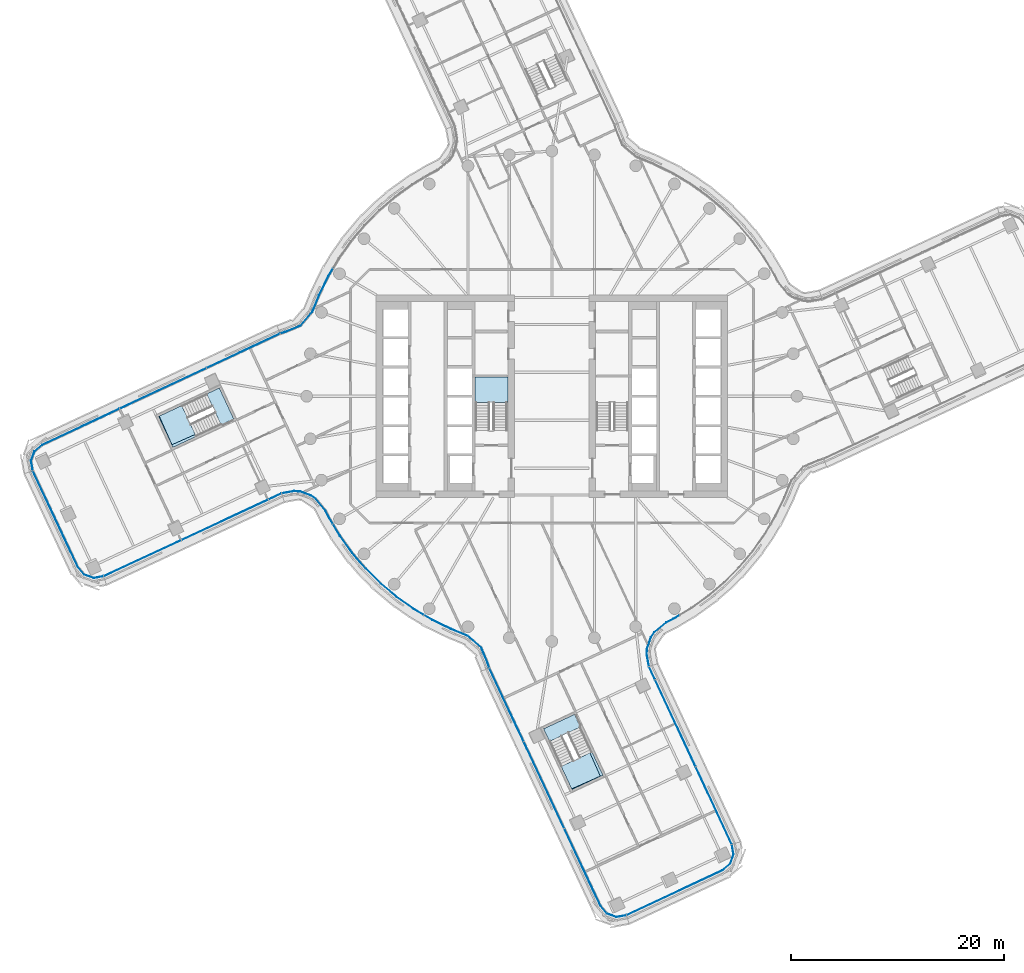
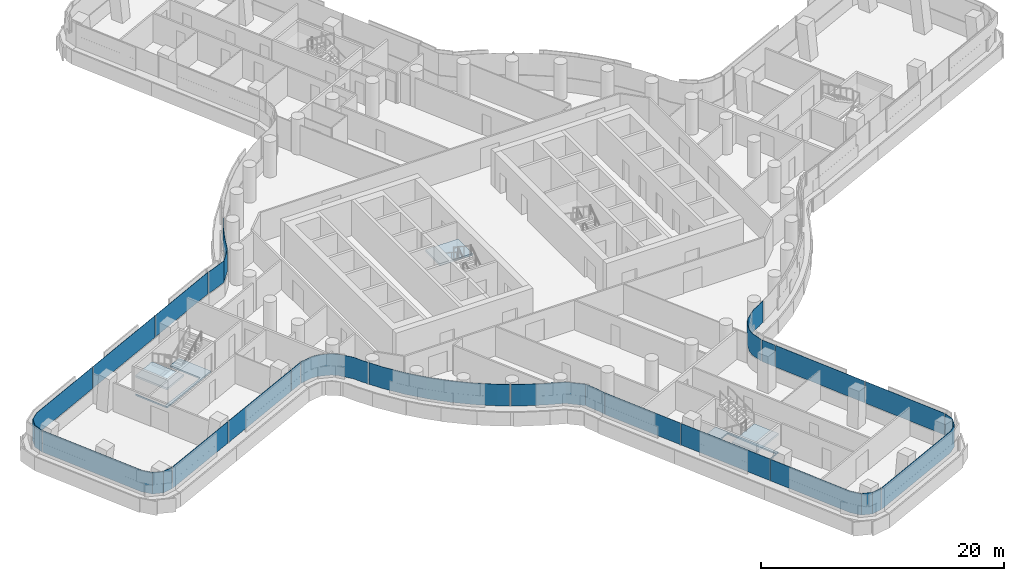
# One storey, part 20 of 36: 19 plates, 5 slabs, 12 elements without a shape of their own.
"""IFC4 building model written with IfcOpenShell, lengths in metres."""

from ifc_helpers import new_model, si_unit, direction, frame, origin, place, context, subcontext, project, spatial, polyline, outline, extrude, material, layer, layer_set, type_object, element, aggregate, save


model = new_model("IFC4")

# Units and contexts
model_context = context("Model", 3, precision=1e-05, world=origin(), true_north=direction((0.0, 1.0)))
body_context = subcontext(model_context, "Body", "Model", "MODEL_VIEW")
ifc_project = project(units=[si_unit("LENGTHUNIT", "METRE"), si_unit("AREAUNIT", "SQUARE_METRE"), si_unit("VOLUMEUNIT", "CUBIC_METRE"), si_unit("PLANEANGLEUNIT", "RADIAN"), si_unit("MASSUNIT", "GRAM", prefix="KILO")], contexts=[model_context])

# Site, building, storey
site_placement = place(None, origin())
site = spatial("IfcSite", under=ifc_project, at=site_placement, CompositionType="ELEMENT")
building_placement = place(site_placement, origin())
building = spatial("IfcBuilding", under=site, at=building_placement, Name="Tamarind Cross Interchange Tower", CompositionType="ELEMENT")
storey_placement = place(building_placement, frame((0.0, 0.0, 124.75)))
storey = spatial("IfcBuildingStorey", under=building, at=storey_placement, Name="L30", CompositionType="ELEMENT", Elevation=124.75)

# Slabs
ifc_material_1 = material(Name="Concrete C35", Category="concrete")
ifc_layer_1 = layer(ifc_material_1, 0.139892578125)
ifc_layer_set_1 = layer_set([ifc_layer_1], Name="Concrete C35")
slab_type_1 = type_object("IfcSlabType", Name="Composite slab 140 Concrete C35", PredefinedType="FLOOR", material=ifc_layer_set_1)
slab_1_placement = place(storey_placement, frame((0.0, 0.0, -0.139892578125)))
element("IfcSlab", 1, at=slab_1_placement, inside=storey, type_object=slab_type_1, Name="Floor slab L30", PredefinedType="FLOOR", context=body_context, shape_type="SweptSolid", body=[
    extrude(outline(polyline([(-35.630615234375, -4.544677734375), (-36.827880859375, -1.859375), (-36.90185546875, -1.89404296875), (-35.545654296875, -4.79248046875), (-29.83935546875, -2.122314453125), (-31.195556640625, 0.77587890625), (-32.3837890625, 0.219970703125), (-31.099853515625, -2.5244140625), (-35.630615234375, -4.544677734375)])), origin(), (0.0, 0.0, 1.0), 0.139892578125),
])
slab_2_placement = place(storey_placement, frame((0.0, 0.0, -0.139892578125)))
element("IfcSlab", 2, at=slab_2_placement, inside=storey, type_object=slab_type_1, Name="Floor slab L30", PredefinedType="FLOOR", context=body_context, shape_type="SweptSolid", body=[
    extrude(outline(polyline([(1.89404296875, -36.90185546875), (4.79248046875, -35.545654296875), (2.122314453125, -29.83935546875), (-0.77587890625, -31.195556640625), (-0.219970703125, -32.3837890625), (2.5244140625, -31.099853515625), (4.544677734375, -35.630615234375), (1.859375, -36.827880859375), (1.89404296875, -36.90185546875)])), origin(), (0.0, 0.0, 1.0), 0.139892578125),
])

# Stair, slab
ifc_material_2 = material(Name="Exit stair")
stair_type = type_object("IfcStairType", Name="Exit stair", PredefinedType="HALF_TURN_STAIR", material=ifc_material_2)
stair_1_placement = place(storey_placement, origin())
stair_1 = element("IfcStair", 3, at=stair_1_placement, inside=storey, type_object=stair_type, Name="L30 exit stair ST1", PredefinedType="HALF_TURN_STAIR")
ifc_material_3 = material(Name="Concrete C40", Category="concrete")
ifc_layer_2 = layer(ifc_material_3, 0.199951171875)
ifc_layer_set_2 = layer_set([ifc_layer_2], Name="Concrete C40")
slab_type_2 = type_object("IfcSlabType", Name="Stair landing", PredefinedType="LANDING", material=ifc_layer_set_2)
slab_3_placement = place(storey_placement, frame((0.0, 0.0, 1.675048828125)))
slab_3 = element("IfcSlab", 4, at=slab_3_placement, type_object=slab_type_2, Name="ST1 landing 1", PredefinedType="LANDING", context=body_context, shape_type="SweptSolid", body=[
    extrude(outline(polyline([(-4.10009765625, -0.60009765625), (-4.10009765625, 1.800048828125), (-7.199951171875, 1.800048828125), (-7.199951171875, -0.60009765625), (-4.10009765625, -0.60009765625)])), origin(), (0.0, 0.0, 1.0), 0.199951171875),
])
aggregate(stair_1, [slab_3])

stair_2_placement = place(storey_placement, origin())
stair_2 = element("IfcStair", 5, at=stair_2_placement, inside=storey, type_object=stair_type, Name="L30 exit stair ST5", PredefinedType="HALF_TURN_STAIR")
slab_4_placement = place(storey_placement, frame((0.0, 0.0, 1.675048828125)))
slab_4 = element("IfcSlab", 6, at=slab_4_placement, type_object=slab_type_2, Name="ST5 landing 1", PredefinedType="LANDING", context=body_context, shape_type="SweptSolid", body=[
    extrude(outline(polyline([(-34.717041015625, -0.871826171875), (-36.90185546875, -1.89404296875), (-35.545654296875, -4.79248046875), (-33.36083984375, -3.770263671875), (-34.717041015625, -0.871826171875)])), origin(), (0.0, 0.0, 1.0), 0.199951171875),
])
aggregate(stair_2, [slab_4])

stair_3_placement = place(storey_placement, origin())
stair_3 = element("IfcStair", 7, at=stair_3_placement, inside=storey, type_object=stair_type, Name="L30 exit stair ST6", PredefinedType="HALF_TURN_STAIR")
slab_5_placement = place(storey_placement, frame((0.0, 0.0, 1.675048828125)))
slab_5 = element("IfcSlab", 8, at=slab_5_placement, type_object=slab_type_2, Name="ST6 landing 1", PredefinedType="LANDING", context=body_context, shape_type="SweptSolid", body=[
    extrude(outline(polyline([(0.871826171875, -34.717041015625), (1.89404296875, -36.90185546875), (4.79248046875, -35.545654296875), (3.770263671875, -33.36083984375), (0.871826171875, -34.717041015625)])), origin(), (0.0, 0.0, 1.0), 0.199951171875),
])
aggregate(stair_3, [slab_5])

# Curtain wall, plate
ifc_material_4 = material(Name="Aluminium 6063-T6", Category="aluminium")
ifc_layer_3 = layer(ifc_material_4, 0.159912109375)
ifc_layer_set_3 = layer_set([ifc_layer_3], Name="Aluminium 6063-T6")
curtain_wall_type = type_object("IfcCurtainWallType", Name="Office curtain wall, 9.0 m bays", PredefinedType="NOTDEFINED", material=ifc_layer_set_3)
curtain_wall_1_placement = place(storey_placement, origin())
curtain_wall_1 = element("IfcCurtainWall", 9, at=curtain_wall_1_placement, inside=storey, type_object=curtain_wall_type, Name="CWS-L30-00", PredefinedType="NOTDEFINED")
ifc_material_5 = material(Name="Laminated low-e glass 8+1.52+8", Category="glass")
ifc_layer_4 = layer(ifc_material_5, 0.028076171875)
ifc_layer_set_4 = layer_set([ifc_layer_4], Name="Laminated low-e glass 8+1.52+8")
plate_type = type_object("IfcPlateType", Name="Vision panel CW1", PredefinedType="CURTAIN_PANEL", material=ifc_layer_set_4)
plate_1_placement = place(storey_placement, frame((0.0, 0.0, 1.39990234375)))
plate_1 = element("IfcPlate", 10, at=plate_1_placement, type_object=plate_type, Name="CWP-L30-00-00", PredefinedType="CURTAIN_PANEL", context=body_context, shape_type="SweptSolid", body=[
    extrude(outline(polyline([(-48.658935546875, -7.015869140625), (-44.456787109375, -15.996826171875), (-43.84521484375, -16.7236328125), (-42.979736328125, -17.037353515625), (-42.072265625, -16.8759765625), (-42.067138671875, -16.903564453125), (-42.982177734375, -17.066162109375), (-43.86181640625, -16.747314453125), (-44.48046875, -16.011962890625), (-48.684326171875, -7.027587890625), (-48.658935546875, -7.015869140625)])), origin(), (0.0, 0.0, 1.0), 2.170166015625),
])
aggregate(curtain_wall_1, [plate_1])

# Curtain wall, plates
curtain_wall_2_placement = place(storey_placement, origin())
curtain_wall_2 = element("IfcCurtainWall", 11, at=curtain_wall_2_placement, inside=storey, type_object=curtain_wall_type, Name="CWS-L30-01", PredefinedType="NOTDEFINED")
plate_2_placement = place(storey_placement, frame((0.0, 0.0, 1.39990234375)))
plate_2 = element("IfcPlate", 12, at=plate_2_placement, type_object=plate_type, Name="CWP-L30-01-00", PredefinedType="CURTAIN_PANEL", context=body_context, shape_type="SweptSolid", body=[
    extrude(outline(polyline([(-42.018798828125, -16.859130859375), (-34.790771484375, -13.492919921875), (-34.77880859375, -13.518310546875), (-42.007080078125, -16.884521484375), (-42.018798828125, -16.859130859375)])), origin(), (0.0, 0.0, 1.0), 2.170166015625),
])
plate_3_placement = place(storey_placement, frame((0.0, 0.0, 1.39990234375)))
plate_3 = element("IfcPlate", 13, at=plate_3_placement, type_object=plate_type, Name="CWP-L30-01-01", PredefinedType="CURTAIN_PANEL", context=body_context, shape_type="SweptSolid", body=[
    extrude(outline(polyline([(-34.736328125, -13.467529296875), (-26.63232421875, -9.693359375), (-26.620361328125, -9.71875), (-34.724609375, -13.492919921875), (-34.736328125, -13.467529296875)])), origin(), (0.0, 0.0, 1.0), 2.170166015625),
])
plate_4_placement = place(storey_placement, frame((0.0, 0.0, 1.39990234375)))
plate_4 = element("IfcPlate", 14, at=plate_4_placement, type_object=plate_type, Name="CWP-L30-01-02", PredefinedType="CURTAIN_PANEL", context=body_context, shape_type="SweptSolid", body=[
    extrude(outline(polyline([(-26.577880859375, -9.668212890625), (-25.381103515625, -9.11083984375), (-25.369384765625, -9.13623046875), (-26.56591796875, -9.693603515625), (-26.577880859375, -9.668212890625)])), origin(), (0.0, 0.0, 1.0), 2.170166015625),
])
aggregate(curtain_wall_2, [plate_2, plate_3, plate_4])

curtain_wall_3_placement = place(storey_placement, origin())
curtain_wall_3 = element("IfcCurtainWall", 15, at=curtain_wall_3_placement, inside=storey, type_object=curtain_wall_type, Name="CWS-L30-02", PredefinedType="NOTDEFINED")
plate_5_placement = place(storey_placement, frame((0.0, 0.0, 1.39990234375)))
plate_5 = element("IfcPlate", 16, at=plate_5_placement, type_object=plate_type, Name="CWP-L30-02-00", PredefinedType="CURTAIN_PANEL", context=body_context, shape_type="SweptSolid", body=[
    extrude(outline(polyline([(-25.321044921875, -9.091796875), (-24.169677734375, -8.8837890625), (-23.6123046875, -8.9287109375), (-22.601806640625, -9.28515625), (-22.1376953125, -9.6015625), (-21.210693359375, -10.724609375), (-20.866943359375, -11.408203125), (-20.537841796875, -11.954833984375), (-20.56201171875, -11.96923828125), (-20.891357421875, -11.421630859375), (-21.234375, -10.739990234375), (-22.15673828125, -9.622314453125), (-22.61474609375, -9.310302734375), (-23.6181640625, -8.956298828125), (-24.168212890625, -8.912109375), (-25.316162109375, -9.119384765625), (-25.321044921875, -9.091796875)])), origin(), (0.0, 0.0, 1.0), 2.170166015625),
])
plate_6_placement = place(storey_placement, frame((0.0, 0.0, 1.39990234375)))
plate_6 = element("IfcPlate", 17, at=plate_6_placement, type_object=plate_type, Name="CWP-L30-02-01", PredefinedType="CURTAIN_PANEL", context=body_context, shape_type="SweptSolid", body=[
    extrude(outline(polyline([(-20.507080078125, -12.00634765625), (-19.85302734375, -13.093017578125), (-18.7041015625, -14.687744140625), (-17.42724609375, -16.18212890625), (-16.031494140625, -17.56591796875), (-14.526123046875, -18.829833984375), (-12.921630859375, -19.965087890625), (-12.019775390625, -20.497314453125), (-12.033935546875, -20.521484375), (-12.936767578125, -19.988525390625), (-14.543212890625, -18.85205078125), (-16.05029296875, -17.586669921875), (-17.44775390625, -16.201171875), (-18.72607421875, -14.705078125), (-19.87646484375, -13.1083984375), (-20.531005859375, -12.020751953125), (-20.507080078125, -12.00634765625)])), origin(), (0.0, 0.0, 1.0), 2.170166015625),
])
plate_7_placement = place(storey_placement, frame((0.0, 0.0, 1.39990234375)))
plate_7 = element("IfcPlate", 18, at=plate_7_placement, type_object=plate_type, Name="CWP-L30-02-02", PredefinedType="CURTAIN_PANEL", context=body_context, shape_type="SweptSolid", body=[
    extrude(outline(polyline([(-11.968017578125, -20.52783203125), (-11.228759765625, -20.9638671875), (-9.456787109375, -21.82080078125), (-7.9052734375, -22.46142578125), (-6.608154296875, -23.566650390625), (-6.017822265625, -24.99169921875), (-5.870361328125, -25.457275390625), (-5.89697265625, -25.465576171875), (-6.0439453125, -25.00146484375), (-6.63134765625, -23.58349609375), (-7.920166015625, -22.485595703125), (-9.46826171875, -21.84619140625), (-11.241943359375, -20.98876953125), (-11.982177734375, -20.5517578125), (-11.968017578125, -20.52783203125)])), origin(), (0.0, 0.0, 1.0), 2.170166015625),
])
aggregate(curtain_wall_3, [plate_5, plate_6, plate_7])

curtain_wall_4_placement = place(storey_placement, origin())
curtain_wall_4 = element("IfcCurtainWall", 19, at=curtain_wall_4_placement, inside=storey, type_object=curtain_wall_type, Name="CWS-L30-03", PredefinedType="NOTDEFINED")
plate_8_placement = place(storey_placement, frame((0.0, 0.0, 1.39990234375)))
plate_8 = element("IfcPlate", 20, at=plate_8_placement, type_object=plate_type, Name="CWP-L30-03-00", PredefinedType="CURTAIN_PANEL", context=body_context, shape_type="SweptSolid", body=[
    extrude(outline(polyline([(-5.84912109375, -25.51123046875), (-2.64111328125, -32.3671875), (-2.66650390625, -32.379150390625), (-5.87451171875, -25.523193359375), (-5.84912109375, -25.51123046875)])), origin(), (0.0, 0.0, 1.0), 2.170166015625),
])
plate_9_placement = place(storey_placement, frame((0.0, 0.0, 1.39990234375)))
plate_9 = element("IfcPlate", 21, at=plate_9_placement, type_object=plate_type, Name="CWP-L30-03-01", PredefinedType="CURTAIN_PANEL", context=body_context, shape_type="SweptSolid", body=[
    extrude(outline(polyline([(-2.61572265625, -32.421630859375), (1.1669921875, -40.506103515625), (1.1416015625, -40.51806640625), (-2.64111328125, -32.43359375), (-2.61572265625, -32.421630859375)])), origin(), (0.0, 0.0, 1.0), 2.170166015625),
])
plate_10_placement = place(storey_placement, frame((0.0, 0.0, 1.39990234375)))
plate_10 = element("IfcPlate", 22, at=plate_10_placement, type_object=plate_type, Name="CWP-L30-03-02", PredefinedType="CURTAIN_PANEL", context=body_context, shape_type="SweptSolid", body=[
    extrude(outline(polyline([(1.1923828125, -40.560546875), (4.578369140625, -47.796630859375), (5.189697265625, -48.523193359375), (6.05517578125, -48.8369140625), (6.962646484375, -48.67578125), (6.967529296875, -48.703369140625), (6.052734375, -48.865966796875), (5.173095703125, -48.547119140625), (4.554443359375, -47.811767578125), (1.1669921875, -40.572265625), (1.1923828125, -40.560546875)])), origin(), (0.0, 0.0, 1.0), 2.170166015625),
])
aggregate(curtain_wall_4, [plate_8, plate_9, plate_10])

# Curtain wall, plate
curtain_wall_5_placement = place(storey_placement, origin())
curtain_wall_5 = element("IfcCurtainWall", 23, at=curtain_wall_5_placement, inside=storey, type_object=curtain_wall_type, Name="CWS-L30-04", PredefinedType="NOTDEFINED")
plate_11_placement = place(storey_placement, frame((0.0, 0.0, 1.39990234375)))
plate_11 = element("IfcPlate", 24, at=plate_11_placement, type_object=plate_type, Name="CWP-L30-04-00", PredefinedType="CURTAIN_PANEL", context=body_context, shape_type="SweptSolid", body=[
    extrude(outline(polyline([(7.015869140625, -48.658935546875), (15.996826171875, -44.456787109375), (16.7236328125, -43.84521484375), (17.037353515625, -42.979736328125), (16.8759765625, -42.072265625), (16.903564453125, -42.067138671875), (17.066162109375, -42.982177734375), (16.747314453125, -43.86181640625), (16.011962890625, -44.48046875), (7.027587890625, -48.684326171875), (7.015869140625, -48.658935546875)])), origin(), (0.0, 0.0, 1.0), 2.170166015625),
])
aggregate(curtain_wall_5, [plate_11])

# Curtain wall, plates
curtain_wall_6_placement = place(storey_placement, origin())
curtain_wall_6 = element("IfcCurtainWall", 25, at=curtain_wall_6_placement, inside=storey, type_object=curtain_wall_type, Name="CWS-L30-05", PredefinedType="NOTDEFINED")
plate_12_placement = place(storey_placement, frame((0.0, 0.0, 1.39990234375)))
plate_12 = element("IfcPlate", 26, at=plate_12_placement, type_object=plate_type, Name="CWP-L30-05-00", PredefinedType="CURTAIN_PANEL", context=body_context, shape_type="SweptSolid", body=[
    extrude(outline(polyline([(16.859130859375, -42.018798828125), (13.492919921875, -34.790771484375), (13.518310546875, -34.77880859375), (16.884521484375, -42.007080078125), (16.859130859375, -42.018798828125)])), origin(), (0.0, 0.0, 1.0), 2.170166015625),
])
plate_13_placement = place(storey_placement, frame((0.0, 0.0, 1.39990234375)))
plate_13 = element("IfcPlate", 27, at=plate_13_placement, type_object=plate_type, Name="CWP-L30-05-01", PredefinedType="CURTAIN_PANEL", context=body_context, shape_type="SweptSolid", body=[
    extrude(outline(polyline([(13.467529296875, -34.736328125), (9.693359375, -26.63232421875), (9.71875, -26.620361328125), (13.492919921875, -34.724609375), (13.467529296875, -34.736328125)])), origin(), (0.0, 0.0, 1.0), 2.170166015625),
])
plate_14_placement = place(storey_placement, frame((0.0, 0.0, 1.39990234375)))
plate_14 = element("IfcPlate", 28, at=plate_14_placement, type_object=plate_type, Name="CWP-L30-05-02", PredefinedType="CURTAIN_PANEL", context=body_context, shape_type="SweptSolid", body=[
    extrude(outline(polyline([(9.668212890625, -26.577880859375), (9.11083984375, -25.381103515625), (9.13623046875, -25.369384765625), (9.693603515625, -26.56591796875), (9.668212890625, -26.577880859375)])), origin(), (0.0, 0.0, 1.0), 2.170166015625),
])
aggregate(curtain_wall_6, [plate_12, plate_13, plate_14])

# Curtain wall, plate
curtain_wall_7_placement = place(storey_placement, origin())
curtain_wall_7 = element("IfcCurtainWall", 29, at=curtain_wall_7_placement, inside=storey, type_object=curtain_wall_type, Name="CWS-L30-06", PredefinedType="NOTDEFINED")
plate_15_placement = place(storey_placement, frame((0.0, 0.0, 1.39990234375)))
plate_15 = element("IfcPlate", 30, at=plate_15_placement, type_object=plate_type, Name="CWP-L30-06-00", PredefinedType="CURTAIN_PANEL", context=body_context, shape_type="SweptSolid", body=[
    extrude(outline(polyline([(9.091796875, -25.321044921875), (8.8837890625, -24.169677734375), (8.9287109375, -23.6123046875), (9.28515625, -22.601806640625), (9.6015625, -22.1376953125), (10.724609375, -21.210693359375), (11.408203125, -20.866943359375), (11.954833984375, -20.537841796875), (11.96923828125, -20.56201171875), (11.421630859375, -20.891357421875), (10.739990234375, -21.234375), (9.622314453125, -22.15673828125), (9.310302734375, -22.61474609375), (8.956298828125, -23.6181640625), (8.912109375, -24.168212890625), (9.119384765625, -25.316162109375), (9.091796875, -25.321044921875)])), origin(), (0.0, 0.0, 1.0), 2.170166015625),
])
aggregate(curtain_wall_7, [plate_15])

curtain_wall_8_placement = place(storey_placement, origin())
curtain_wall_8 = element("IfcCurtainWall", 31, at=curtain_wall_8_placement, inside=storey, type_object=curtain_wall_type, Name="CWS-L30-14", PredefinedType="NOTDEFINED")
plate_16_placement = place(storey_placement, frame((0.0, 0.0, 1.39990234375)))
plate_16 = element("IfcPlate", 32, at=plate_16_placement, type_object=plate_type, Name="CWP-L30-14-02", PredefinedType="CURTAIN_PANEL", context=body_context, shape_type="SweptSolid", body=[
    extrude(outline(polyline([(-20.52783203125, 11.968017578125), (-20.9638671875, 11.228759765625), (-21.82080078125, 9.456787109375), (-22.46142578125, 7.9052734375), (-23.566650390625, 6.608154296875), (-24.99169921875, 6.017822265625), (-25.457275390625, 5.870361328125), (-25.465576171875, 5.89697265625), (-25.00146484375, 6.0439453125), (-23.58349609375, 6.63134765625), (-22.485595703125, 7.920166015625), (-21.84619140625, 9.46826171875), (-20.98876953125, 11.241943359375), (-20.5517578125, 11.982177734375), (-20.52783203125, 11.968017578125)])), origin(), (0.0, 0.0, 1.0), 2.170166015625),
])
aggregate(curtain_wall_8, [plate_16])

# Curtain wall, plates
curtain_wall_9_placement = place(storey_placement, origin())
curtain_wall_9 = element("IfcCurtainWall", 33, at=curtain_wall_9_placement, inside=storey, type_object=curtain_wall_type, Name="CWS-L30-15", PredefinedType="NOTDEFINED")
plate_17_placement = place(storey_placement, frame((0.0, 0.0, 1.39990234375)))
plate_17 = element("IfcPlate", 34, at=plate_17_placement, type_object=plate_type, Name="CWP-L30-15-00", PredefinedType="CURTAIN_PANEL", context=body_context, shape_type="SweptSolid", body=[
    extrude(outline(polyline([(-25.51123046875, 5.84912109375), (-32.3671875, 2.64111328125), (-32.379150390625, 2.66650390625), (-25.523193359375, 5.87451171875), (-25.51123046875, 5.84912109375)])), origin(), (0.0, 0.0, 1.0), 2.170166015625),
])
plate_18_placement = place(storey_placement, frame((0.0, 0.0, 1.39990234375)))
plate_18 = element("IfcPlate", 35, at=plate_18_placement, type_object=plate_type, Name="CWP-L30-15-01", PredefinedType="CURTAIN_PANEL", context=body_context, shape_type="SweptSolid", body=[
    extrude(outline(polyline([(-32.421630859375, 2.61572265625), (-40.506103515625, -1.1669921875), (-40.51806640625, -1.1416015625), (-32.43359375, 2.64111328125), (-32.421630859375, 2.61572265625)])), origin(), (0.0, 0.0, 1.0), 2.170166015625),
])
plate_19_placement = place(storey_placement, frame((0.0, 0.0, 1.39990234375)))
plate_19 = element("IfcPlate", 36, at=plate_19_placement, type_object=plate_type, Name="CWP-L30-15-02", PredefinedType="CURTAIN_PANEL", context=body_context, shape_type="SweptSolid", body=[
    extrude(outline(polyline([(-40.560546875, -1.1923828125), (-47.796630859375, -4.578369140625), (-48.523193359375, -5.189697265625), (-48.8369140625, -6.05517578125), (-48.67578125, -6.962646484375), (-48.703369140625, -6.967529296875), (-48.865966796875, -6.052734375), (-48.547119140625, -5.173095703125), (-47.811767578125, -4.554443359375), (-40.572265625, -1.1669921875), (-40.560546875, -1.1923828125)])), origin(), (0.0, 0.0, 1.0), 2.170166015625),
])
aggregate(curtain_wall_9, [plate_17, plate_18, plate_19])

save(model, "model.ifc")
